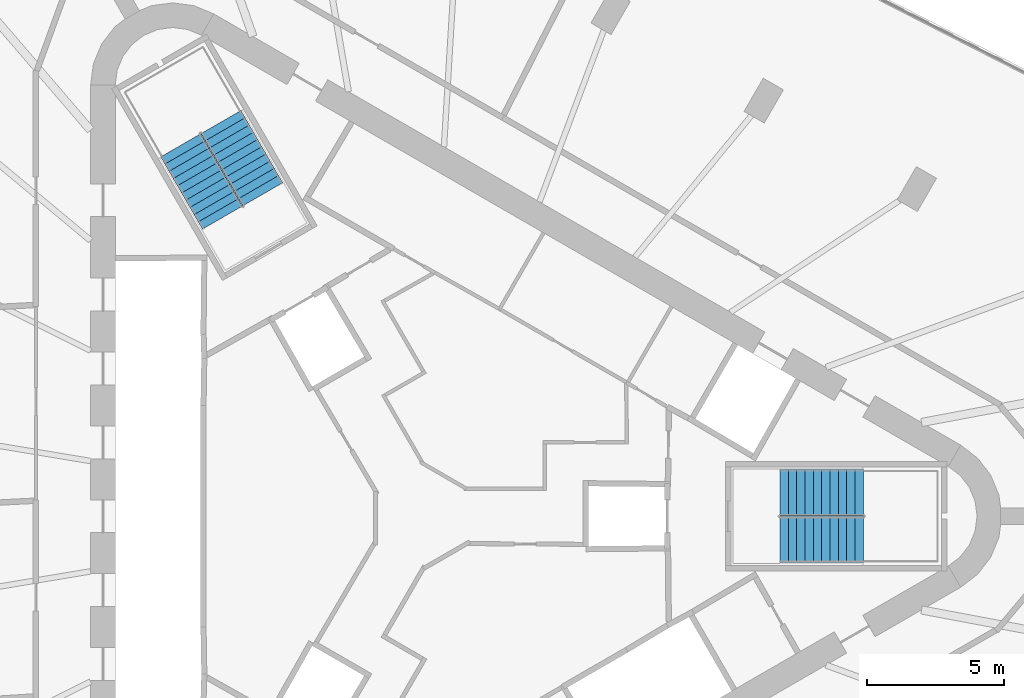
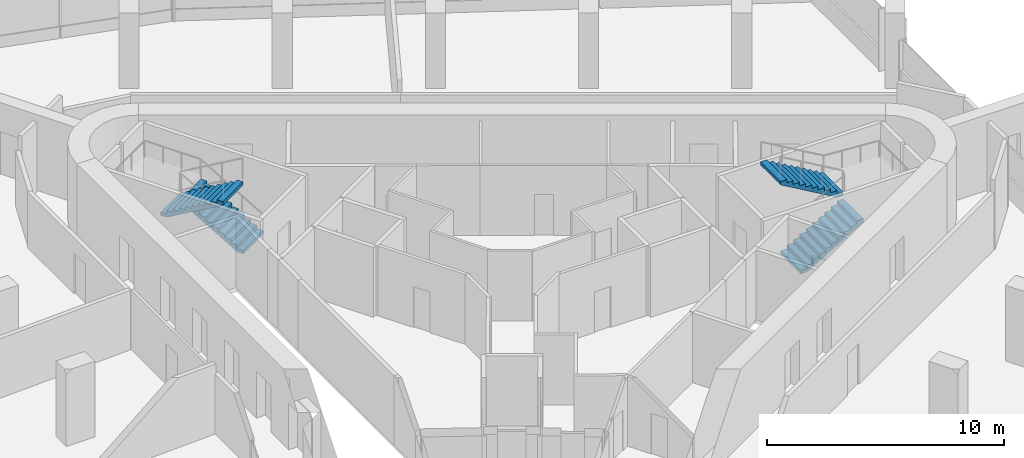
# One storey, part 11 of 12: 4 stair flights, 2 elements without a shape of their own.
"""IFC4 building model written with IfcOpenShell, lengths in metres."""

import ifcopenshell
import ifcopenshell.guid

model = None  # the IFC model being written
_history = None  # IfcOwnerHistory: only IFC2X3 demands one
_inside = {}  # id of a spatial element -> (the spatial element, [elements in it])
_under = {}  # id of a project, library or spatial element -> (it, [spatial elements below it])
_declared = {}  # id of a project -> (the project, [libraries it declares])
_typed = {}  # id of a type object -> (the type object, [elements of that type])
_made_of = {}  # id of a material, layer set ... -> (it, [elements and type objects made of it])


def new_model(schema):
    """Start an empty IFC model of exactly this schema.

    Asked for "IFC4X3", IfcOpenShell would pick the latest addendum, in which some entities
    have other attributes; the version numbers below select the first issue.
    IFC2X3 requires an IfcOwnerHistory on every rooted entity: one is made here for all.
    """
    global model, _history
    if schema == "IFC4X3":
        model = ifcopenshell.file(schema_version=(4, 3, 0, 0))
    else:
        model = ifcopenshell.file(schema=schema)
    _inside.clear()
    _under.clear()
    _declared.clear()
    _typed.clear()
    _made_of.clear()
    _history = None
    if model.schema == "IFC2X3":
        org = make("IfcOrganization", Name="unknown")
        user = make(
            "IfcPersonAndOrganization",
            ThePerson=make("IfcPerson", FamilyName="unknown"),
            TheOrganization=org,
        )
        app = make(
            "IfcApplication",
            ApplicationDeveloper=org,
            Version="unknown",
            ApplicationFullName="unknown",
            ApplicationIdentifier="unknown",
        )
        _history = make(
            "IfcOwnerHistory",
            OwningUser=user,
            OwningApplication=app,
            ChangeAction="ADDED",
            CreationDate=0,
        )
    return model


def make(cls, **values):
    """One entity of the class cls with the attributes given. An attribute that is None is left unset."""
    return model.create_entity(
        cls, **{name: value for name, value in values.items() if value is not None}
    )


def rooted(cls, **values):
    """An entity with a GlobalId (a new one), such as an element, a storey or a relation."""
    return make(cls, GlobalId=ifcopenshell.guid.new(), OwnerHistory=_history, **values)


def si_unit(unit_type, name, prefix=None):
    """IfcSIUnit, for example si_unit("LENGTHUNIT", "METRE", prefix="MILLI")."""
    return make("IfcSIUnit", UnitType=unit_type, Prefix=prefix, Name=name)


def assignment(units):
    """IfcUnitAssignment: the units of a project."""
    return None if units is None else make("IfcUnitAssignment", Units=units)


def point(xyz):
    """IfcCartesianPoint."""
    return None if xyz is None else make("IfcCartesianPoint", Coordinates=xyz)


def direction(xyz):
    """IfcDirection."""
    return None if xyz is None else make("IfcDirection", DirectionRatios=xyz)


def frame(location, z_axis=None, x_axis=None):
    """IfcAxis2Placement3D, a coordinate frame: its origin and axes. An axis left out is left unset."""
    return make(
        "IfcAxis2Placement3D",
        Location=point(location),
        Axis=direction(z_axis),
        RefDirection=direction(x_axis),
    )


def origin():
    """The frame at (0, 0, 0) with its axes left unset."""
    return frame((0.0, 0.0, 0.0))


def place(relative_to, where):
    """IfcLocalPlacement: puts the frame where relative to a parent placement (None: the world)."""
    return make(
        "IfcLocalPlacement", PlacementRelTo=relative_to, RelativePlacement=where
    )


def context(
    kind, dimensions, precision=None, world=None, true_north=None, identifier=None
):
    """IfcGeometricRepresentationContext, for example the 3D "Model" context."""
    return make(
        "IfcGeometricRepresentationContext",
        ContextIdentifier=identifier,
        ContextType=kind,
        CoordinateSpaceDimension=dimensions,
        Precision=precision,
        WorldCoordinateSystem=world,
        TrueNorth=true_north,
    )


def subcontext(parent, identifier, kind, view, scale=None):
    """IfcGeometricRepresentationSubContext, for example "Body" below "Model"."""
    return make(
        "IfcGeometricRepresentationSubContext",
        ContextIdentifier=identifier,
        ContextType=kind,
        ParentContext=parent,
        TargetScale=scale,
        TargetView=view,
    )


def project(units=None, contexts=None):
    """IfcProject with its units and contexts."""
    return rooted(
        "IfcProject",
        Name="project",
        RepresentationContexts=contexts,
        UnitsInContext=assignment(units),
    )


def spatial(cls, under=None, at=None, **own):
    """A site, building, storey or space (cls), placed at a placement, below another one or the project."""
    s = rooted(cls, ObjectPlacement=at, **own)
    if under is not None:
        _under.setdefault(under.id(), (under, []))[1].append(s)
    return s


def polyline(points):
    """IfcPolyline through the points."""
    return make("IfcPolyline", Points=[point(p) for p in points])


def outline(outer, holes=None, kind="AREA"):
    """IfcArbitraryClosedProfileDef: a profile drawn as a closed curve; with holes, ...WithVoids."""
    if holes is None:
        return make("IfcArbitraryClosedProfileDef", ProfileType=kind, OuterCurve=outer)
    return make(
        "IfcArbitraryProfileDefWithVoids",
        ProfileType=kind,
        OuterCurve=outer,
        InnerCurves=holes,
    )


def extrude(swept, where, along, depth):
    """IfcExtrudedAreaSolid: the profile swept, set in the frame where, extruded along a direction by depth."""
    return make(
        "IfcExtrudedAreaSolid",
        SweptArea=swept,
        Position=where,
        ExtrudedDirection=direction(along),
        Depth=depth,
    )


def shape(context_of_items, identifier, shape_type, items):
    """IfcShapeRepresentation: the items that make up one representation, for example the "Body"."""
    return make(
        "IfcShapeRepresentation",
        ContextOfItems=context_of_items,
        RepresentationIdentifier=identifier,
        RepresentationType=shape_type,
        Items=items,
    )


def material(Name=None, Category=None):
    """IfcMaterial."""
    return make("IfcMaterial", Name=Name, Category=Category)


def made_of(thing, what):
    """Note that an element or type object is made of a material, layer set ...; save() writes the relation."""
    if what is not None:
        _made_of.setdefault(what.id(), (what, []))[1].append(thing)
    return thing


def type_object(cls, material=None, **own):
    """A type object (cls), such as IfcWallType, which elements share."""
    return made_of(rooted(cls, **own), material)


def element(
    cls,
    number,
    at=None,
    inside=None,
    cuts=None,
    type_object=None,
    material=None,
    context=None,
    identifier="Body",
    shape_type=None,
    held_by="IfcProductDefinitionShape",
    body=None,
    shapes=None,
    **own,
):
    """One element of the class cls, such as IfcWall. Its Tag is "e" and its number.

    at: its placement. inside: the storey or other place that contains it. cuts: it is an
    opening in that element (IfcRelVoidsElement). A single representation is given by context,
    identifier, shape_type and body (its items); several are given by shapes. held_by: the class
    of the entity that holds the representations. save() writes the other relations.
    """
    e = rooted(cls, Tag="e%d" % number, ObjectPlacement=at, **own)
    if body is not None:
        shapes = [shape(context, identifier, shape_type, body)]
    if shapes is not None:
        e.Representation = make(held_by, Representations=shapes)
    if inside is not None:
        _inside.setdefault(inside.id(), (inside, []))[1].append(e)
    if cuts is not None:
        rooted(
            "IfcRelVoidsElement", RelatingBuildingElement=cuts, RelatedOpeningElement=e
        )
    if type_object is not None:
        _typed.setdefault(type_object.id(), (type_object, []))[1].append(e)
    return made_of(e, material)


def aggregate(whole, parts):
    """IfcRelAggregates: a whole, such as a stair, and the parts it consists of."""
    return rooted("IfcRelAggregates", RelatingObject=whole, RelatedObjects=parts)


def save(model, path):
    """Write the relations noted so far, then the file.

    IfcRelAggregates (storeys below a building ...), IfcRelContainedInSpatialStructure (elements
    in a storey), IfcRelDefinesByType, IfcRelAssociatesMaterial and IfcRelDeclares: one each for
    every whole, place, type object, material and project.
    """
    for whole, parts in _under.values():
        aggregate(whole, parts)
    for where, things in _inside.values():
        rooted(
            "IfcRelContainedInSpatialStructure",
            RelatedElements=things,
            RelatingStructure=where,
        )
    for kind, things in _typed.values():
        rooted("IfcRelDefinesByType", RelatedObjects=things, RelatingType=kind)
    for what, things in _made_of.values():
        rooted("IfcRelAssociatesMaterial", RelatedObjects=things, RelatingMaterial=what)
    for by, libraries in _declared.values():
        rooted("IfcRelDeclares", RelatingContext=by, RelatedDefinitions=libraries)
    model.write(path)


model = new_model("IFC4")

# Units and contexts
model_context = context("Model", 3, precision=1e-05, world=origin(), true_north=direction((0.0, 1.0)))
body_context = subcontext(model_context, "Body", "Model", "MODEL_VIEW")
ifc_project = project(units=[si_unit("LENGTHUNIT", "METRE"), si_unit("AREAUNIT", "SQUARE_METRE"), si_unit("VOLUMEUNIT", "CUBIC_METRE"), si_unit("PLANEANGLEUNIT", "RADIAN"), si_unit("MASSUNIT", "GRAM", prefix="KILO")], contexts=[model_context])

# Site, building, storey
site_placement = place(None, origin())
site = spatial("IfcSite", under=ifc_project, at=site_placement, CompositionType="ELEMENT")
building_placement = place(site_placement, origin())
building = spatial("IfcBuilding", under=site, at=building_placement, Name="Tanit Gate Tower", CompositionType="ELEMENT")
storey_placement = place(building_placement, frame((0.0, 0.0, 365.0)))
storey = spatial("IfcBuildingStorey", under=building, at=storey_placement, Name="L83", CompositionType="ELEMENT", Elevation=365.0)

# Stair, stair flights
ifc_material_1 = material(Name="Concrete C40/50", Category="concrete")
stair_type = type_object("IfcStairType", Name="INT-STAIR-EXIT", PredefinedType="HALF_TURN_STAIR", material=ifc_material_1)
stair_1_placement = place(storey_placement, origin())
stair_1 = element("IfcStair", 1, at=stair_1_placement, inside=storey, type_object=stair_type, Name="L83 STAIR S1", PredefinedType="HALF_TURN_STAIR")
ifc_material_2 = material(Name="Concrete C40/50", Category="concrete")
stair_flight_type = type_object("IfcStairFlightType", Name="INT-STAIR-FLIGHT", PredefinedType="STRAIGHT", material=ifc_material_2)
stair_flight_1_placement = place(storey_placement, frame((13.094970703125, -0.8525390625, 0.0), z_axis=(0.0, 0.0, 1.0), x_axis=(1.0, 0.0, 0.0)))
stair_flight_1 = element("IfcStairFlight", 2, at=stair_flight_1_placement, type_object=stair_flight_type, Name="S1 flight 1", NumberOfRisers=11, NumberOfTreads=10, PredefinedType="STRAIGHT", RiserHeight=0.177272727, TreadLength=0.3051, context=body_context, shape_type="SweptSolid", body=[
    extrude(outline(polyline([(0.0, 0.0), (0.0, 0.17724609375), (0.30517578125, 0.17724609375), (0.30517578125, 0.3544921875), (0.610107421875, 0.3544921875), (0.610107421875, 0.53173828125), (0.915283203125, 0.53173828125), (0.915283203125, 0.708984375), (1.220458984375, 0.708984375), (1.220458984375, 0.886474609375), (1.525390625, 0.886474609375), (1.525390625, 1.063720703125), (1.83056640625, 1.063720703125), (1.83056640625, 1.240966796875), (2.1357421875, 1.240966796875), (2.1357421875, 1.418212890625), (2.44091796875, 1.418212890625), (2.44091796875, 1.595458984375), (2.745849609375, 1.595458984375), (2.745849609375, 1.772705078125), (3.051025390625, 1.772705078125), (3.051025390625, 1.949951171875), (3.051025390625, 1.599365234375), (0.29833984375, 0.0), (0.0, 0.0)])), frame((0.0, 0.84765625, 0.0), z_axis=(0.0, -1.0, 0.0), x_axis=(1.0, 0.0, 0.0)), (0.0, 0.0, 1.0), 1.695068359375),
])
stair_flight_2_placement = place(storey_placement, frame((16.14599609375, 0.8525390625, 1.949951171875), z_axis=(0.0, 0.0, 1.0), x_axis=(-1.0, 0.0, 0.0)))
stair_flight_2 = element("IfcStairFlight", 3, at=stair_flight_2_placement, type_object=stair_flight_type, Name="S1 flight 2", NumberOfRisers=11, NumberOfTreads=10, PredefinedType="STRAIGHT", RiserHeight=0.177272727, TreadLength=0.3051, context=body_context, shape_type="SweptSolid", body=[
    extrude(outline(polyline([(0.0, 0.0), (0.0, 0.17724609375), (0.30517578125, 0.17724609375), (0.30517578125, 0.3544921875), (0.610107421875, 0.3544921875), (0.610107421875, 0.53173828125), (0.915283203125, 0.53173828125), (0.915283203125, 0.708984375), (1.220458984375, 0.708984375), (1.220458984375, 0.886474609375), (1.525390625, 0.886474609375), (1.525390625, 1.063720703125), (1.83056640625, 1.063720703125), (1.83056640625, 1.240966796875), (2.1357421875, 1.240966796875), (2.1357421875, 1.418212890625), (2.44091796875, 1.418212890625), (2.44091796875, 1.595458984375), (2.745849609375, 1.595458984375), (2.745849609375, 1.772705078125), (3.051025390625, 1.772705078125), (3.051025390625, 1.949951171875), (3.051025390625, 1.599365234375), (0.29833984375, 0.0), (0.0, 0.0)])), frame((0.0, 0.84765625, 0.0), z_axis=(0.0, -1.0, 0.0), x_axis=(1.0, 0.0, 0.0)), (0.0, 0.0, 1.0), 1.695068359375),
])
aggregate(stair_1, [stair_flight_1, stair_flight_2])

stair_2_placement = place(storey_placement, origin())
stair_2 = element("IfcStair", 4, at=stair_2_placement, inside=storey, type_object=stair_type, Name="L83 STAIR S2", PredefinedType="HALF_TURN_STAIR")
stair_flight_3_placement = place(storey_placement, frame((-5.808349609375, 11.766357421875, 0.0), z_axis=(0.0, 0.0, 1.0), x_axis=(-0.5, 0.866025403784, 0.0)))
stair_flight_3 = element("IfcStairFlight", 5, at=stair_flight_3_placement, type_object=stair_flight_type, Name="S2 flight 1", NumberOfRisers=11, NumberOfTreads=10, PredefinedType="STRAIGHT", RiserHeight=0.177272727, TreadLength=0.30492, context=body_context, shape_type="SweptSolid", body=[
    extrude(outline(polyline([(0.0, 0.0), (0.0, 0.17724609375), (0.304931640625, 0.17724609375), (0.304931640625, 0.3544921875), (0.60986328125, 0.3544921875), (0.60986328125, 0.53173828125), (0.914794921875, 0.53173828125), (0.914794921875, 0.708984375), (1.2197265625, 0.708984375), (1.2197265625, 0.886474609375), (1.524658203125, 0.886474609375), (1.524658203125, 1.063720703125), (1.82958984375, 1.063720703125), (1.82958984375, 1.240966796875), (2.134521484375, 1.240966796875), (2.134521484375, 1.418212890625), (2.439453125, 1.418212890625), (2.439453125, 1.595458984375), (2.744384765625, 1.595458984375), (2.744384765625, 1.772705078125), (3.04931640625, 1.772705078125), (3.04931640625, 1.949951171875), (3.04931640625, 1.599365234375), (0.29833984375, 0.0), (0.0, 0.0)])), frame((0.0, 0.84716796875, 0.0), z_axis=(0.0, -1.0, 0.0), x_axis=(1.0, 0.0, 0.0)), (0.0, 0.0, 1.0), 1.694091796875),
])
stair_flight_4_placement = place(storey_placement, frame((-8.810302734375, 13.553955078125, 1.949951171875), z_axis=(0.0, 0.0, 1.0), x_axis=(0.5, -0.866025403784, 0.0)))
stair_flight_4 = element("IfcStairFlight", 6, at=stair_flight_4_placement, type_object=stair_flight_type, Name="S2 flight 2", NumberOfRisers=11, NumberOfTreads=10, PredefinedType="STRAIGHT", RiserHeight=0.177272727, TreadLength=0.30492, context=body_context, shape_type="SweptSolid", body=[
    extrude(outline(polyline([(0.0, 0.0), (0.0, 0.17724609375), (0.304931640625, 0.17724609375), (0.304931640625, 0.3544921875), (0.60986328125, 0.3544921875), (0.60986328125, 0.53173828125), (0.914794921875, 0.53173828125), (0.914794921875, 0.708984375), (1.2197265625, 0.708984375), (1.2197265625, 0.886474609375), (1.524658203125, 0.886474609375), (1.524658203125, 1.063720703125), (1.82958984375, 1.063720703125), (1.82958984375, 1.240966796875), (2.134521484375, 1.240966796875), (2.134521484375, 1.418212890625), (2.439453125, 1.418212890625), (2.439453125, 1.595458984375), (2.744384765625, 1.595458984375), (2.744384765625, 1.772705078125), (3.04931640625, 1.772705078125), (3.04931640625, 1.949951171875), (3.04931640625, 1.599365234375), (0.29833984375, 0.0), (0.0, 0.0)])), frame((0.0, 0.84716796875, 0.0), z_axis=(0.0, -1.0, 0.0), x_axis=(1.0, 0.0, 0.0)), (0.0, 0.0, 1.0), 1.694091796875),
])
aggregate(stair_2, [stair_flight_3, stair_flight_4])

save(model, "model.ifc")
